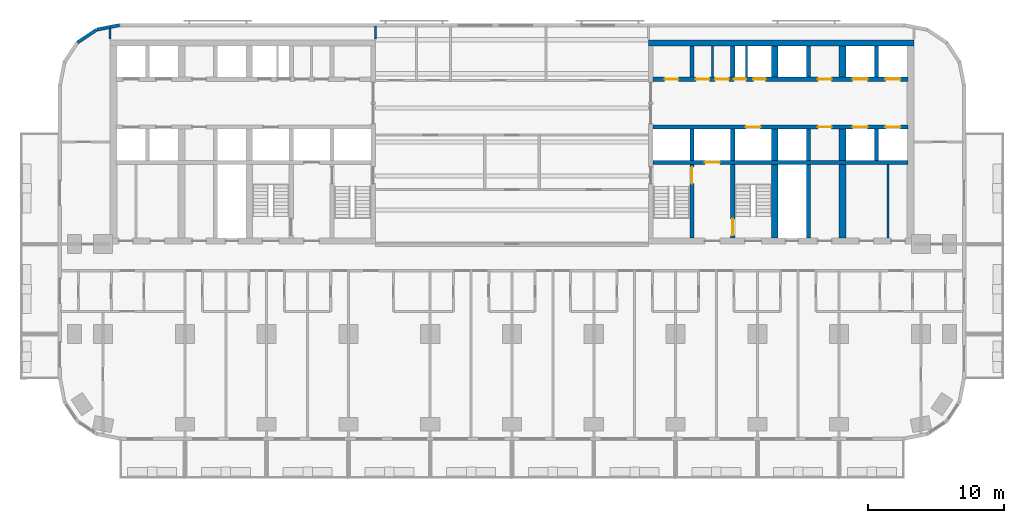
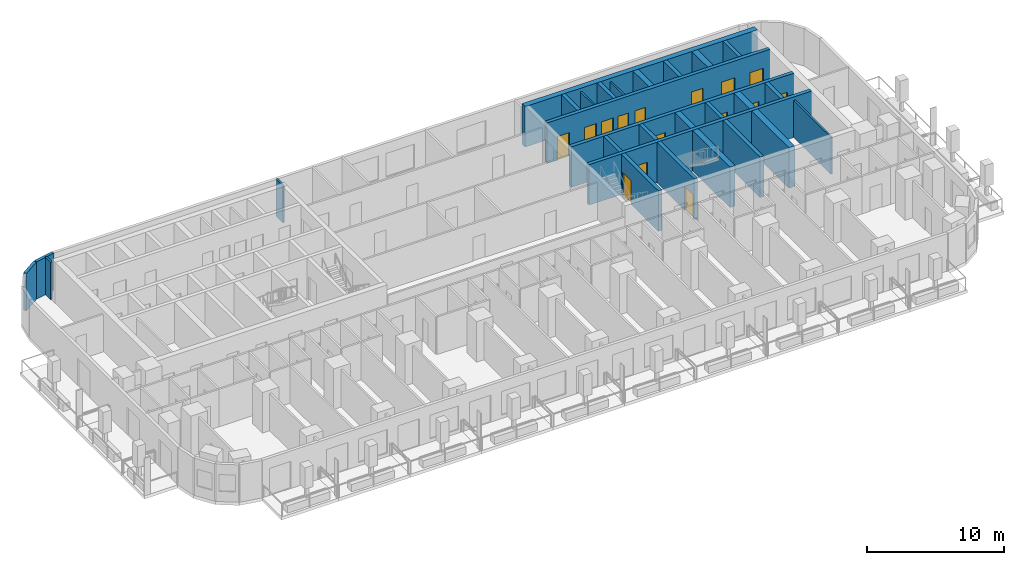
# One storey, part 8 of 15: 28 walls, 15 doors, 15 openings.
"""IFC4 building model written with IfcOpenShell, lengths in metres."""

import ifcopenshell
import ifcopenshell.guid

model = None  # the IFC model being written
_history = None  # IfcOwnerHistory: only IFC2X3 demands one
_inside = {}  # id of a spatial element -> (the spatial element, [elements in it])
_under = {}  # id of a project, library or spatial element -> (it, [spatial elements below it])
_declared = {}  # id of a project -> (the project, [libraries it declares])
_typed = {}  # id of a type object -> (the type object, [elements of that type])
_made_of = {}  # id of a material, layer set ... -> (it, [elements and type objects made of it])


def new_model(schema):
    """Start an empty IFC model of exactly this schema.

    Asked for "IFC4X3", IfcOpenShell would pick the latest addendum, in which some entities
    have other attributes; the version numbers below select the first issue.
    IFC2X3 requires an IfcOwnerHistory on every rooted entity: one is made here for all.
    """
    global model, _history
    if schema == "IFC4X3":
        model = ifcopenshell.file(schema_version=(4, 3, 0, 0))
    else:
        model = ifcopenshell.file(schema=schema)
    _inside.clear()
    _under.clear()
    _declared.clear()
    _typed.clear()
    _made_of.clear()
    _history = None
    if model.schema == "IFC2X3":
        org = make("IfcOrganization", Name="unknown")
        user = make(
            "IfcPersonAndOrganization",
            ThePerson=make("IfcPerson", FamilyName="unknown"),
            TheOrganization=org,
        )
        app = make(
            "IfcApplication",
            ApplicationDeveloper=org,
            Version="unknown",
            ApplicationFullName="unknown",
            ApplicationIdentifier="unknown",
        )
        _history = make(
            "IfcOwnerHistory",
            OwningUser=user,
            OwningApplication=app,
            ChangeAction="ADDED",
            CreationDate=0,
        )
    return model


def make(cls, **values):
    """One entity of the class cls with the attributes given. An attribute that is None is left unset."""
    return model.create_entity(
        cls, **{name: value for name, value in values.items() if value is not None}
    )


def rooted(cls, **values):
    """An entity with a GlobalId (a new one), such as an element, a storey or a relation."""
    return make(cls, GlobalId=ifcopenshell.guid.new(), OwnerHistory=_history, **values)


def si_unit(unit_type, name, prefix=None):
    """IfcSIUnit, for example si_unit("LENGTHUNIT", "METRE", prefix="MILLI")."""
    return make("IfcSIUnit", UnitType=unit_type, Prefix=prefix, Name=name)


def assignment(units):
    """IfcUnitAssignment: the units of a project."""
    return None if units is None else make("IfcUnitAssignment", Units=units)


def point(xyz):
    """IfcCartesianPoint."""
    return None if xyz is None else make("IfcCartesianPoint", Coordinates=xyz)


def direction(xyz):
    """IfcDirection."""
    return None if xyz is None else make("IfcDirection", DirectionRatios=xyz)


def frame(location, z_axis=None, x_axis=None):
    """IfcAxis2Placement3D, a coordinate frame: its origin and axes. An axis left out is left unset."""
    return make(
        "IfcAxis2Placement3D",
        Location=point(location),
        Axis=direction(z_axis),
        RefDirection=direction(x_axis),
    )


def frame_2d(location, x_axis=None):
    """IfcAxis2Placement2D, a coordinate frame in the plane: its origin and x axis."""
    return make(
        "IfcAxis2Placement2D", Location=point(location), RefDirection=direction(x_axis)
    )


def origin():
    """The frame at (0, 0, 0) with its axes left unset."""
    return frame((0.0, 0.0, 0.0))


def place(relative_to, where):
    """IfcLocalPlacement: puts the frame where relative to a parent placement (None: the world)."""
    return make(
        "IfcLocalPlacement", PlacementRelTo=relative_to, RelativePlacement=where
    )


def context(
    kind, dimensions, precision=None, world=None, true_north=None, identifier=None
):
    """IfcGeometricRepresentationContext, for example the 3D "Model" context."""
    return make(
        "IfcGeometricRepresentationContext",
        ContextIdentifier=identifier,
        ContextType=kind,
        CoordinateSpaceDimension=dimensions,
        Precision=precision,
        WorldCoordinateSystem=world,
        TrueNorth=true_north,
    )


def subcontext(parent, identifier, kind, view, scale=None):
    """IfcGeometricRepresentationSubContext, for example "Body" below "Model"."""
    return make(
        "IfcGeometricRepresentationSubContext",
        ContextIdentifier=identifier,
        ContextType=kind,
        ParentContext=parent,
        TargetScale=scale,
        TargetView=view,
    )


def project(units=None, contexts=None):
    """IfcProject with its units and contexts."""
    return rooted(
        "IfcProject",
        Name="project",
        RepresentationContexts=contexts,
        UnitsInContext=assignment(units),
    )


def spatial(cls, under=None, at=None, **own):
    """A site, building, storey or space (cls), placed at a placement, below another one or the project."""
    s = rooted(cls, ObjectPlacement=at, **own)
    if under is not None:
        _under.setdefault(under.id(), (under, []))[1].append(s)
    return s


def profile(cls, at=None, kind="AREA", **sizes):
    """A parametric profile (cls). Its sizes go by their IFC names, for example OverallWidth=200.0."""
    return make(cls, ProfileType=kind, Position=at, **sizes)


def rectangle(**sizes):
    """IfcRectangleProfileDef."""
    return profile("IfcRectangleProfileDef", **sizes)


def extrude(swept, where, along, depth):
    """IfcExtrudedAreaSolid: the profile swept, set in the frame where, extruded along a direction by depth."""
    return make(
        "IfcExtrudedAreaSolid",
        SweptArea=swept,
        Position=where,
        ExtrudedDirection=direction(along),
        Depth=depth,
    )


def shape(context_of_items, identifier, shape_type, items):
    """IfcShapeRepresentation: the items that make up one representation, for example the "Body"."""
    return make(
        "IfcShapeRepresentation",
        ContextOfItems=context_of_items,
        RepresentationIdentifier=identifier,
        RepresentationType=shape_type,
        Items=items,
    )


def material(Name=None, Category=None):
    """IfcMaterial."""
    return make("IfcMaterial", Name=Name, Category=Category)


def layer(
    of_material, thickness, ventilated=None, Name=None, Category=None, Priority=None
):
    """IfcMaterialLayer: one layer of a wall or slab, of a material (None: an air gap)."""
    return make(
        "IfcMaterialLayer",
        Material=of_material,
        LayerThickness=thickness,
        IsVentilated=ventilated,
        Name=Name,
        Category=Category,
        Priority=Priority,
    )


def layer_set(layers, Name=None):
    """IfcMaterialLayerSet."""
    return make("IfcMaterialLayerSet", MaterialLayers=layers, LayerSetName=Name)


def made_of(thing, what):
    """Note that an element or type object is made of a material, layer set ...; save() writes the relation."""
    if what is not None:
        _made_of.setdefault(what.id(), (what, []))[1].append(thing)
    return thing


def type_object(cls, material=None, **own):
    """A type object (cls), such as IfcWallType, which elements share."""
    return made_of(rooted(cls, **own), material)


def element(
    cls,
    number,
    at=None,
    inside=None,
    cuts=None,
    type_object=None,
    material=None,
    context=None,
    identifier="Body",
    shape_type=None,
    held_by="IfcProductDefinitionShape",
    body=None,
    shapes=None,
    **own,
):
    """One element of the class cls, such as IfcWall. Its Tag is "e" and its number.

    at: its placement. inside: the storey or other place that contains it. cuts: it is an
    opening in that element (IfcRelVoidsElement). A single representation is given by context,
    identifier, shape_type and body (its items); several are given by shapes. held_by: the class
    of the entity that holds the representations. save() writes the other relations.
    """
    e = rooted(cls, Tag="e%d" % number, ObjectPlacement=at, **own)
    if body is not None:
        shapes = [shape(context, identifier, shape_type, body)]
    if shapes is not None:
        e.Representation = make(held_by, Representations=shapes)
    if inside is not None:
        _inside.setdefault(inside.id(), (inside, []))[1].append(e)
    if cuts is not None:
        rooted(
            "IfcRelVoidsElement", RelatingBuildingElement=cuts, RelatedOpeningElement=e
        )
    if type_object is not None:
        _typed.setdefault(type_object.id(), (type_object, []))[1].append(e)
    return made_of(e, material)


def fill(opening, filler):
    """IfcRelFillsElement: the door or window that sits in an opening."""
    return rooted(
        "IfcRelFillsElement",
        RelatingOpeningElement=opening,
        RelatedBuildingElement=filler,
    )


def aggregate(whole, parts):
    """IfcRelAggregates: a whole, such as a stair, and the parts it consists of."""
    return rooted("IfcRelAggregates", RelatingObject=whole, RelatedObjects=parts)


def save(model, path):
    """Write the relations noted so far, then the file.

    IfcRelAggregates (storeys below a building ...), IfcRelContainedInSpatialStructure (elements
    in a storey), IfcRelDefinesByType, IfcRelAssociatesMaterial and IfcRelDeclares: one each for
    every whole, place, type object, material and project.
    """
    for whole, parts in _under.values():
        aggregate(whole, parts)
    for where, things in _inside.values():
        rooted(
            "IfcRelContainedInSpatialStructure",
            RelatedElements=things,
            RelatingStructure=where,
        )
    for kind, things in _typed.values():
        rooted("IfcRelDefinesByType", RelatedObjects=things, RelatingType=kind)
    for what, things in _made_of.values():
        rooted("IfcRelAssociatesMaterial", RelatedObjects=things, RelatingMaterial=what)
    for by, libraries in _declared.values():
        rooted("IfcRelDeclares", RelatingContext=by, RelatedDefinitions=libraries)
    model.write(path)


model = new_model("IFC4")

# Units and contexts
model_context = context("Model", 3, precision=1e-05, world=origin(), true_north=direction((0.0, 1.0)))
body_context = subcontext(model_context, "Body", "Model", "MODEL_VIEW")
ifc_project = project(units=[si_unit("LENGTHUNIT", "METRE"), si_unit("AREAUNIT", "SQUARE_METRE"), si_unit("VOLUMEUNIT", "CUBIC_METRE"), si_unit("PLANEANGLEUNIT", "RADIAN"), si_unit("MASSUNIT", "GRAM", prefix="KILO")], contexts=[model_context])

# Site, building, storey
site_placement = place(None, origin())
site = spatial("IfcSite", under=ifc_project, at=site_placement, CompositionType="ELEMENT")
building_placement = place(site_placement, origin())
building = spatial("IfcBuilding", under=site, at=building_placement, Name="Torana Hotel and Residences", CompositionType="ELEMENT")
storey_placement = place(building_placement, frame((0.0, 0.0, 31.199951171875)))
storey = spatial("IfcBuildingStorey", under=building, at=storey_placement, Name="L06", CompositionType="ELEMENT", Elevation=31.199951171875)

# Wall, openings, doors
ifc_material_1 = material(Name="Concrete C80/95", Category="concrete")
ifc_layer_1 = layer(ifc_material_1, 0.300048828125)
ifc_layer_set_1 = layer_set([ifc_layer_1], Name="CORE WALL 300 C80/95")
wall_type_1 = type_object("IfcWallType", Name="CORE WALL 300 C80/95", PredefinedType="SHEAR", material=ifc_layer_set_1)
wall_1_placement = place(storey_placement, frame((10.35009765625, -2.89990234375, 0.0), z_axis=(0.0, 0.0, 1.0), x_axis=(1.0, 0.0, 0.0)))
wall_1 = element("IfcWall", 1, at=wall_1_placement, inside=storey, type_object=wall_type_1, Name="Core wall E row-N", PredefinedType="SHEAR", context=body_context, shape_type="SweptSolid", body=[
    extrude(rectangle(XDim=18.699951171875, YDim=0.300048828125, at=frame_2d((9.35009765625, 0.0))), origin(), (0.0, 0.0, 1.0), 3.60009765625),
])
opening_1_placement = place(wall_1_placement, frame((14.64990234375, 0.0, 0.0)))
opening_1 = element("IfcOpeningElement", 2, at=opening_1_placement, cuts=wall_1, Name="Opening LD", PredefinedType="OPENING", context=body_context, shape_type="SweptSolid", body=[
    extrude(rectangle(XDim=1.10009765625, YDim=2.10009765625, at=frame_2d((0.550048828125, 1.050048828125))), frame((0.0, 0.159912109375, 0.0), z_axis=(0.0, -1.0, 0.0), x_axis=(1.0, 0.0, 0.0)), (0.0, 0.0, 1.0), 0.320068359375),
])
opening_2_placement = place(wall_1_placement, frame((17.050048828125, 0.0, 0.0)))
opening_2 = element("IfcOpeningElement", 3, at=opening_2_placement, cuts=wall_1, Name="Opening LD", PredefinedType="OPENING", context=body_context, shape_type="SweptSolid", body=[
    extrude(rectangle(XDim=1.10009765625, YDim=2.10009765625, at=frame_2d((0.550048828125, 1.050048828125))), frame((0.0, 0.159912109375, 0.0), z_axis=(0.0, -1.0, 0.0), x_axis=(1.0, 0.0, 0.0)), (0.0, 0.0, 1.0), 0.320068359375),
])
opening_3_placement = place(wall_1_placement, frame((5.9375, 0.0, 0.0)))
opening_3 = element("IfcOpeningElement", 4, at=opening_3_placement, cuts=wall_1, Name="Opening L06-28", PredefinedType="OPENING", context=body_context, shape_type="SweptSolid", body=[
    extrude(rectangle(XDim=0.89990234375, YDim=2.10009765625, at=frame_2d((0.449951171875, 1.050048828125))), frame((0.0, 0.159912109375, 0.0), z_axis=(0.0, -1.0, 0.0), x_axis=(1.0, 0.0, 0.0)), (0.0, 0.0, 1.0), 0.320068359375),
])
opening_4_placement = place(wall_1_placement, frame((7.362548828125, 0.0, 0.0)))
opening_4 = element("IfcOpeningElement", 5, at=opening_4_placement, cuts=wall_1, Name="Opening L06-29", PredefinedType="OPENING", context=body_context, shape_type="SweptSolid", body=[
    extrude(rectangle(XDim=0.89990234375, YDim=2.10009765625, at=frame_2d((0.449951171875, 1.050048828125))), frame((0.0, 0.159912109375, 0.0), z_axis=(0.0, -1.0, 0.0), x_axis=(1.0, 0.0, 0.0)), (0.0, 0.0, 1.0), 0.320068359375),
])
opening_5_placement = place(wall_1_placement, frame((0.85009765625, 0.0, 0.0)))
opening_5 = element("IfcOpeningElement", 6, at=opening_5_placement, cuts=wall_1, Name="Opening L06-30", PredefinedType="OPENING", context=body_context, shape_type="SweptSolid", body=[
    extrude(rectangle(XDim=1.0, YDim=2.10009765625, at=frame_2d((0.5, 1.050048828125))), frame((0.0, 0.159912109375, 0.0), z_axis=(0.0, -1.0, 0.0), x_axis=(1.0, 0.0, 0.0)), (0.0, 0.0, 1.0), 0.320068359375),
])
opening_6_placement = place(wall_1_placement, frame((3.137451171875, 0.0, 0.0)))
opening_6 = element("IfcOpeningElement", 7, at=opening_6_placement, cuts=wall_1, Name="Opening L06-31", PredefinedType="OPENING", context=body_context, shape_type="SweptSolid", body=[
    extrude(rectangle(XDim=1.0, YDim=2.10009765625, at=frame_2d((0.5, 1.050048828125))), frame((0.0, 0.159912109375, 0.0), z_axis=(0.0, -1.0, 0.0), x_axis=(1.0, 0.0, 0.0)), (0.0, 0.0, 1.0), 0.320068359375),
])
opening_7_placement = place(wall_1_placement, frame((4.5625, 0.0, 0.0)))
opening_7 = element("IfcOpeningElement", 8, at=opening_7_placement, cuts=wall_1, Name="Opening L06-32", PredefinedType="OPENING", context=body_context, shape_type="SweptSolid", body=[
    extrude(rectangle(XDim=1.0, YDim=2.10009765625, at=frame_2d((0.5, 1.050048828125))), frame((0.0, 0.159912109375, 0.0), z_axis=(0.0, -1.0, 0.0), x_axis=(1.0, 0.0, 0.0)), (0.0, 0.0, 1.0), 0.320068359375),
])
opening_8_placement = place(wall_1_placement, frame((12.10009765625, 0.0, 0.0)))
opening_8 = element("IfcOpeningElement", 9, at=opening_8_placement, cuts=wall_1, Name="Opening L06-33", PredefinedType="OPENING", context=body_context, shape_type="SweptSolid", body=[
    extrude(rectangle(XDim=1.0, YDim=2.10009765625, at=frame_2d((0.5, 1.050048828125))), frame((0.0, 0.159912109375, 0.0), z_axis=(0.0, -1.0, 0.0), x_axis=(1.0, 0.0, 0.0)), (0.0, 0.0, 1.0), 0.320068359375),
])
ifc_material_2 = material(Name="Steel S235", Category="steel")
door_type_1 = type_object("IfcDoorType", Name="CORE ROOM FIRE DOOR D14 1000x2100", OperationType="SINGLE_SWING_LEFT", PredefinedType="DOOR", material=ifc_material_2)
door_1_placement = place(opening_5_placement, origin())
door_1 = element("IfcDoor", 10, at=door_1_placement, inside=storey, type_object=door_type_1, Name="N0 door L06", OperationType="SINGLE_SWING_RIGHT", OverallHeight=2.10009765625, OverallWidth=1.0, PredefinedType="DOOR", context=body_context, shape_type="SweptSolid", body=[
    extrude(rectangle(XDim=1.0, YDim=2.10009765625, at=frame_2d((0.5, 1.050048828125))), frame((0.0, 0.02490234375, 0.0), z_axis=(0.0, -1.0, 0.0), x_axis=(1.0, 0.0, 0.0)), (0.0, 0.0, 1.0), 0.050048828125),
])
fill(opening_5, door_1)
door_2_placement = place(opening_6_placement, origin())
door_2 = element("IfcDoor", 11, at=door_2_placement, inside=storey, type_object=door_type_1, Name="N1A door L06", OperationType="SINGLE_SWING_RIGHT", OverallHeight=2.10009765625, OverallWidth=1.0, PredefinedType="DOOR", context=body_context, shape_type="SweptSolid", body=[
    extrude(rectangle(XDim=1.0, YDim=2.10009765625, at=frame_2d((0.5, 1.050048828125))), frame((0.0, 0.02490234375, 0.0), z_axis=(0.0, -1.0, 0.0), x_axis=(1.0, 0.0, 0.0)), (0.0, 0.0, 1.0), 0.050048828125),
])
fill(opening_6, door_2)
door_3_placement = place(opening_7_placement, origin())
door_3 = element("IfcDoor", 12, at=door_3_placement, inside=storey, type_object=door_type_1, Name="N1B door L06", OperationType="SINGLE_SWING_RIGHT", OverallHeight=2.10009765625, OverallWidth=1.0, PredefinedType="DOOR", context=body_context, shape_type="SweptSolid", body=[
    extrude(rectangle(XDim=1.0, YDim=2.10009765625, at=frame_2d((0.5, 1.050048828125))), frame((0.0, 0.02490234375, 0.0), z_axis=(0.0, -1.0, 0.0), x_axis=(1.0, 0.0, 0.0)), (0.0, 0.0, 1.0), 0.050048828125),
])
fill(opening_7, door_3)
door_4_placement = place(opening_8_placement, origin())
door_4 = element("IfcDoor", 13, at=door_4_placement, inside=storey, type_object=door_type_1, Name="Free-M3 door L06", OperationType="SINGLE_SWING_RIGHT", OverallHeight=2.10009765625, OverallWidth=1.0, PredefinedType="DOOR", context=body_context, shape_type="SweptSolid", body=[
    extrude(rectangle(XDim=1.0, YDim=2.10009765625, at=frame_2d((0.5, 1.050048828125))), frame((0.0, 0.02490234375, 0.0), z_axis=(0.0, -1.0, 0.0), x_axis=(1.0, 0.0, 0.0)), (0.0, 0.0, 1.0), 0.050048828125),
])
fill(opening_8, door_4)
ifc_material_3 = material(Name="Stainless steel 316", Category="steel")
door_type_2 = type_object("IfcDoorType", Name="LIFT LANDING DOOR LD 1100x2100", OperationType="DOUBLE_DOOR_SLIDING", PredefinedType="USERDEFINED", material=ifc_material_3)
door_5_placement = place(opening_1_placement, origin())
door_5 = element("IfcDoor", 14, at=door_5_placement, inside=storey, type_object=door_type_2, Name="Lift landing door L5 L06", ObjectType="LIFT LANDING DOOR", OperationType="DOUBLE_DOOR_SLIDING", OverallHeight=2.10009765625, OverallWidth=1.10009765625, PredefinedType="USERDEFINED", context=body_context, shape_type="SweptSolid", body=[
    extrude(rectangle(XDim=1.10009765625, YDim=2.10009765625, at=frame_2d((0.550048828125, 1.050048828125))), frame((0.0, 0.02490234375, 0.0), z_axis=(0.0, -1.0, 0.0), x_axis=(1.0, 0.0, 0.0)), (0.0, 0.0, 1.0), 0.050048828125),
])
fill(opening_1, door_5)
door_6_placement = place(opening_2_placement, origin())
door_6 = element("IfcDoor", 15, at=door_6_placement, inside=storey, type_object=door_type_2, Name="Lift landing door L6 L06", ObjectType="LIFT LANDING DOOR", OperationType="DOUBLE_DOOR_SLIDING", OverallHeight=2.10009765625, OverallWidth=1.10009765625, PredefinedType="USERDEFINED", context=body_context, shape_type="SweptSolid", body=[
    extrude(rectangle(XDim=1.10009765625, YDim=2.10009765625, at=frame_2d((0.550048828125, 1.050048828125))), frame((0.0, 0.02490234375, 0.0), z_axis=(0.0, -1.0, 0.0), x_axis=(1.0, 0.0, 0.0)), (0.0, 0.0, 1.0), 0.050048828125),
])
fill(opening_2, door_6)
ifc_material_4 = material(Name="Steel S235", Category="steel")
door_type_3 = type_object("IfcDoorType", Name="RISER ACCESS DOOR D5 900x2100", OperationType="SINGLE_SWING_LEFT", PredefinedType="DOOR", material=ifc_material_4)
door_7_placement = place(opening_3_placement, origin())
door_7 = element("IfcDoor", 16, at=door_7_placement, inside=storey, type_object=door_type_3, Name="N2A door L06", OperationType="SINGLE_SWING_RIGHT", OverallHeight=2.10009765625, OverallWidth=0.89990234375, PredefinedType="DOOR", context=body_context, shape_type="SweptSolid", body=[
    extrude(rectangle(XDim=0.89990234375, YDim=2.10009765625, at=frame_2d((0.449951171875, 1.050048828125))), frame((0.0, 0.02490234375, 0.0), z_axis=(0.0, -1.0, 0.0), x_axis=(1.0, 0.0, 0.0)), (0.0, 0.0, 1.0), 0.050048828125),
])
fill(opening_3, door_7)
door_8_placement = place(opening_4_placement, origin())
door_8 = element("IfcDoor", 17, at=door_8_placement, inside=storey, type_object=door_type_3, Name="N2B door L06", OperationType="SINGLE_SWING_RIGHT", OverallHeight=2.10009765625, OverallWidth=0.89990234375, PredefinedType="DOOR", context=body_context, shape_type="SweptSolid", body=[
    extrude(rectangle(XDim=0.89990234375, YDim=2.10009765625, at=frame_2d((0.449951171875, 1.050048828125))), frame((0.0, 0.02490234375, 0.0), z_axis=(0.0, -1.0, 0.0), x_axis=(1.0, 0.0, 0.0)), (0.0, 0.0, 1.0), 0.050048828125),
])
fill(opening_4, door_8)

wall_2_placement = place(storey_placement, frame((10.35009765625, -6.39990234375, 0.0), z_axis=(0.0, 0.0, 1.0), x_axis=(1.0, 0.0, 0.0)))
wall_2 = element("IfcWall", 18, at=wall_2_placement, inside=storey, type_object=wall_type_1, Name="Core wall E row-S", PredefinedType="SHEAR", context=body_context, shape_type="SweptSolid", body=[
    extrude(rectangle(XDim=18.699951171875, YDim=0.300048828125, at=frame_2d((9.35009765625, 0.0))), origin(), (0.0, 0.0, 1.0), 3.60009765625),
])
opening_9_placement = place(wall_2_placement, frame((14.64990234375, 0.0, 0.0)))
opening_9 = element("IfcOpeningElement", 19, at=opening_9_placement, cuts=wall_2, Name="Opening LD", PredefinedType="OPENING", context=body_context, shape_type="SweptSolid", body=[
    extrude(rectangle(XDim=1.10009765625, YDim=2.10009765625, at=frame_2d((0.550048828125, 1.050048828125))), frame((0.0, 0.159912109375, 0.0), z_axis=(0.0, -1.0, 0.0), x_axis=(1.0, 0.0, 0.0)), (0.0, 0.0, 1.0), 0.320068359375),
])
opening_10_placement = place(wall_2_placement, frame((17.050048828125, 0.0, 0.0)))
opening_10 = element("IfcOpeningElement", 20, at=opening_10_placement, cuts=wall_2, Name="Opening LD", PredefinedType="OPENING", context=body_context, shape_type="SweptSolid", body=[
    extrude(rectangle(XDim=1.10009765625, YDim=2.10009765625, at=frame_2d((0.550048828125, 1.050048828125))), frame((0.0, 0.159912109375, 0.0), z_axis=(0.0, -1.0, 0.0), x_axis=(1.0, 0.0, 0.0)), (0.0, 0.0, 1.0), 0.320068359375),
])
opening_11_placement = place(wall_2_placement, frame((6.800048828125, 0.0, 0.0)))
opening_11 = element("IfcOpeningElement", 21, at=opening_11_placement, cuts=wall_2, Name="Opening LD", PredefinedType="OPENING", context=body_context, shape_type="SweptSolid", body=[
    extrude(rectangle(XDim=1.10009765625, YDim=2.10009765625, at=frame_2d((0.550048828125, 1.050048828125))), frame((0.0, 0.159912109375, 0.0), z_axis=(0.0, -1.0, 0.0), x_axis=(1.0, 0.0, 0.0)), (0.0, 0.0, 1.0), 0.320068359375),
])
opening_12_placement = place(wall_2_placement, frame((12.10009765625, 0.0, 0.0)))
opening_12 = element("IfcOpeningElement", 22, at=opening_12_placement, cuts=wall_2, Name="Opening L06-34", PredefinedType="OPENING", context=body_context, shape_type="SweptSolid", body=[
    extrude(rectangle(XDim=1.0, YDim=2.10009765625, at=frame_2d((0.5, 1.050048828125))), frame((0.0, 0.159912109375, 0.0), z_axis=(0.0, -1.0, 0.0), x_axis=(1.0, 0.0, 0.0)), (0.0, 0.0, 1.0), 0.320068359375),
])
door_9_placement = place(opening_12_placement, frame((0.5, 0.0, 0.0), z_axis=(0.0, 0.0, 1.0), x_axis=(-1.0, 0.0, 0.0)))
door_9 = element("IfcDoor", 23, at=door_9_placement, inside=storey, type_object=door_type_1, Name="Free-M4 door L06", OperationType="SINGLE_SWING_LEFT", OverallHeight=2.10009765625, OverallWidth=1.0, PredefinedType="DOOR", context=body_context, shape_type="SweptSolid", body=[
    extrude(rectangle(XDim=1.0, YDim=2.10009765625, at=frame_2d((0.0, 1.050048828125))), frame((0.0, -0.02490234375, 0.0), z_axis=(0.0, 1.0, 0.0), x_axis=(-1.0, 0.0, 0.0)), (0.0, 0.0, 1.0), 0.050048828125),
])
fill(opening_12, door_9)
door_10_placement = place(opening_9_placement, origin())
door_10 = element("IfcDoor", 24, at=door_10_placement, inside=storey, type_object=door_type_2, Name="Lift landing door L7 L06", ObjectType="LIFT LANDING DOOR", OperationType="DOUBLE_DOOR_SLIDING", OverallHeight=2.10009765625, OverallWidth=1.10009765625, PredefinedType="USERDEFINED", context=body_context, shape_type="SweptSolid", body=[
    extrude(rectangle(XDim=1.10009765625, YDim=2.10009765625, at=frame_2d((0.550048828125, 1.050048828125))), frame((0.0, 0.02490234375, 0.0), z_axis=(0.0, -1.0, 0.0), x_axis=(1.0, 0.0, 0.0)), (0.0, 0.0, 1.0), 0.050048828125),
])
fill(opening_9, door_10)
door_11_placement = place(opening_10_placement, origin())
door_11 = element("IfcDoor", 25, at=door_11_placement, inside=storey, type_object=door_type_2, Name="Lift landing door L8 L06", ObjectType="LIFT LANDING DOOR", OperationType="DOUBLE_DOOR_SLIDING", OverallHeight=2.10009765625, OverallWidth=1.10009765625, PredefinedType="USERDEFINED", context=body_context, shape_type="SweptSolid", body=[
    extrude(rectangle(XDim=1.10009765625, YDim=2.10009765625, at=frame_2d((0.550048828125, 1.050048828125))), frame((0.0, 0.02490234375, 0.0), z_axis=(0.0, -1.0, 0.0), x_axis=(1.0, 0.0, 0.0)), (0.0, 0.0, 1.0), 0.050048828125),
])
fill(opening_10, door_11)
door_12_placement = place(opening_11_placement, origin())
door_12 = element("IfcDoor", 26, at=door_12_placement, inside=storey, type_object=door_type_2, Name="Lift landing door SV2 L06", ObjectType="LIFT LANDING DOOR", OperationType="DOUBLE_DOOR_SLIDING", OverallHeight=2.10009765625, OverallWidth=1.10009765625, PredefinedType="USERDEFINED", context=body_context, shape_type="SweptSolid", body=[
    extrude(rectangle(XDim=1.10009765625, YDim=2.10009765625, at=frame_2d((0.550048828125, 1.050048828125))), frame((0.0, 0.02490234375, 0.0), z_axis=(0.0, -1.0, 0.0), x_axis=(1.0, 0.0, 0.0)), (0.0, 0.0, 1.0), 0.050048828125),
])
fill(opening_11, door_12)

# Wall, opening, door
wall_3_placement = place(storey_placement, frame((10.35009765625, -9.0, 0.0), z_axis=(0.0, 0.0, 1.0), x_axis=(1.0, 0.0, 0.0)))
wall_3 = element("IfcWall", 27, at=wall_3_placement, inside=storey, type_object=wall_type_1, Name="Core wall E band", PredefinedType="SHEAR", context=body_context, shape_type="SweptSolid", body=[
    extrude(rectangle(XDim=18.699951171875, YDim=0.300048828125, at=frame_2d((9.35009765625, 0.0))), origin(), (0.0, 0.0, 1.0), 3.60009765625),
])
opening_13_placement = place(wall_3_placement, frame((3.800048828125, 0.0, 0.0)))
opening_13 = element("IfcOpeningElement", 28, at=opening_13_placement, cuts=wall_3, Name="Opening LD", PredefinedType="OPENING", context=body_context, shape_type="SweptSolid", body=[
    extrude(rectangle(XDim=1.10009765625, YDim=2.10009765625, at=frame_2d((0.550048828125, 1.050048828125))), frame((0.0, 0.159912109375, 0.0), z_axis=(0.0, -1.0, 0.0), x_axis=(1.0, 0.0, 0.0)), (0.0, 0.0, 1.0), 0.320068359375),
])
door_13_placement = place(opening_13_placement, origin())
door_13 = element("IfcDoor", 29, at=door_13_placement, inside=storey, type_object=door_type_2, Name="Lift landing door FF2 L06", ObjectType="LIFT LANDING DOOR", OperationType="DOUBLE_DOOR_SLIDING", OverallHeight=2.10009765625, OverallWidth=1.10009765625, PredefinedType="USERDEFINED", context=body_context, shape_type="SweptSolid", body=[
    extrude(rectangle(XDim=1.10009765625, YDim=2.10009765625, at=frame_2d((0.550048828125, 1.050048828125))), frame((0.0, 0.02490234375, 0.0), z_axis=(0.0, -1.0, 0.0), x_axis=(1.0, 0.0, 0.0)), (0.0, 0.0, 1.0), 0.050048828125),
])
fill(opening_13, door_13)

# Walls
for number, where, z_axis, x_axis, name in (
    (30, (13.199951171875, -2.75, 0.0), (0.0, 0.0, 1.0), (0.0, 1.0, 0.0), "Core wall E x3.05-N"),
    (31, (13.199951171875, -8.85009765625, 0.0), (0.0, 0.0, 1.0), (0.0, 1.0, 0.0), "Core wall E x3.05-S"),
):
    element("IfcWall", number, at=place(storey_placement, frame(where, z_axis=z_axis, x_axis=x_axis)), inside=storey, type_object=wall_type_1, Name=name, PredefinedType="SHEAR", context=body_context, shape_type="SweptSolid", body=[
        extrude(rectangle(XDim=2.300048828125, YDim=0.300048828125, at=frame_2d((1.14990234375, 0.0))), origin(), (0.0, 0.0, 1.0), 3.60009765625),
    ])

# Wall, opening, door
wall_4_placement = place(storey_placement, frame((13.199951171875, -14.550048828125, 0.0), z_axis=(0.0, 0.0, 1.0), x_axis=(0.0, 1.0, 0.0)))
wall_4 = element("IfcWall", 32, at=wall_4_placement, inside=storey, type_object=wall_type_1, Name="Core wall E x3.05-band", PredefinedType="SHEAR", context=body_context, shape_type="SweptSolid", body=[
    extrude(rectangle(XDim=5.400146484375, YDim=0.300048828125, at=frame_2d((2.7001953125, 0.0))), origin(), (0.0, 0.0, 1.0), 3.60009765625),
])
opening_14_placement = place(wall_4_placement, frame((4.0, 0.0, 0.0)))
opening_14 = element("IfcOpeningElement", 33, at=opening_14_placement, cuts=wall_4, Name="Opening L06-35", PredefinedType="OPENING", context=body_context, shape_type="SweptSolid", body=[
    extrude(rectangle(XDim=1.199951171875, YDim=2.10009765625, at=frame_2d((0.60009765625, 1.050048828125))), frame((0.0, 0.159912109375, 0.0), z_axis=(0.0, -1.0, 0.0), x_axis=(1.0, 0.0, 0.0)), (0.0, 0.0, 1.0), 0.320068359375),
])
ifc_material_5 = material(Name="Steel S235", Category="steel")
door_type_4 = type_object("IfcDoorType", Name="STAIR FIRE DOOR D3 1200x2100", OperationType="SINGLE_SWING_LEFT", PredefinedType="DOOR", material=ifc_material_5)
door_14_placement = place(opening_14_placement, origin())
door_14 = element("IfcDoor", 34, at=door_14_placement, inside=storey, type_object=door_type_4, Name="Stair-A-lobby door L06", OperationType="SINGLE_SWING_LEFT", OverallHeight=2.10009765625, OverallWidth=1.199951171875, PredefinedType="DOOR", context=body_context, shape_type="SweptSolid", body=[
    extrude(rectangle(XDim=1.199951171875, YDim=2.10009765625, at=frame_2d((0.60009765625, 1.050048828125))), frame((0.0, 0.02490234375, 0.0), z_axis=(0.0, -1.0, 0.0), x_axis=(1.0, 0.0, 0.0)), (0.0, 0.0, 1.0), 0.050048828125),
])
fill(opening_14, door_14)

# Walls
for number, where, z_axis, x_axis, name in (
    (35, (16.199951171875, -2.75, 0.0), (0.0, 0.0, 1.0), (0.0, 1.0, 0.0), "Core wall E x6.05-N"),
    (36, (16.199951171875, -8.85009765625, 0.0), (0.0, 0.0, 1.0), (0.0, 1.0, 0.0), "Core wall E x6.05-S"),
):
    element("IfcWall", number, at=place(storey_placement, frame(where, z_axis=z_axis, x_axis=x_axis)), inside=storey, type_object=wall_type_1, Name=name, PredefinedType="SHEAR", context=body_context, shape_type="SweptSolid", body=[
        extrude(rectangle(XDim=2.300048828125, YDim=0.300048828125, at=frame_2d((1.14990234375, 0.0))), origin(), (0.0, 0.0, 1.0), 3.60009765625),
    ])

# Wall, opening, door
wall_5_placement = place(storey_placement, frame((16.199951171875, -14.550048828125, 0.0), z_axis=(0.0, 0.0, 1.0), x_axis=(0.0, 1.0, 0.0)))
wall_5 = element("IfcWall", 37, at=wall_5_placement, inside=storey, type_object=wall_type_1, Name="Core wall E x6.05-band", PredefinedType="SHEAR", context=body_context, shape_type="SweptSolid", body=[
    extrude(rectangle(XDim=5.400146484375, YDim=0.300048828125, at=frame_2d((2.7001953125, 0.0))), origin(), (0.0, 0.0, 1.0), 3.60009765625),
])
opening_15_placement = place(wall_5_placement, frame((0.199951171875, 0.0, 0.0)))
opening_15 = element("IfcOpeningElement", 38, at=opening_15_placement, cuts=wall_5, Name="Opening L06-36", PredefinedType="OPENING", context=body_context, shape_type="SweptSolid", body=[
    extrude(rectangle(XDim=1.199951171875, YDim=2.10009765625, at=frame_2d((0.60009765625, 1.050048828125))), frame((0.0, 0.159912109375, 0.0), z_axis=(0.0, -1.0, 0.0), x_axis=(1.0, 0.0, 0.0)), (0.0, 0.0, 1.0), 0.320068359375),
])
door_15_placement = place(opening_15_placement, frame((0.60009765625, 0.0, 0.0), z_axis=(0.0, 0.0, 1.0), x_axis=(-1.0, 0.0, 0.0)))
door_15 = element("IfcDoor", 39, at=door_15_placement, inside=storey, type_object=door_type_4, Name="Stair-B-lobby door L06", OperationType="SINGLE_SWING_LEFT", OverallHeight=2.10009765625, OverallWidth=1.199951171875, PredefinedType="DOOR", context=body_context, shape_type="SweptSolid", body=[
    extrude(rectangle(XDim=1.199951171875, YDim=2.10009765625, at=frame_2d((0.0, 1.050048828125))), frame((0.0, -0.02490234375, 0.0), z_axis=(0.0, 1.0, 0.0), x_axis=(-1.0, 0.0, 0.0)), (0.0, 0.0, 1.0), 0.050048828125),
])
fill(opening_15, door_15)

# Walls
for number, where, z_axis, x_axis, name in (
    (40, (21.75, -2.75, 0.0), (0.0, 0.0, 1.0), (0.0, 1.0, 0.0), "Core wall E mm-N"),
    (41, (21.75, -8.85009765625, 0.0), (0.0, 0.0, 1.0), (0.0, 1.0, 0.0), "Core wall E mm-S"),
):
    element("IfcWall", number, at=place(storey_placement, frame(where, z_axis=z_axis, x_axis=x_axis)), inside=storey, type_object=wall_type_1, Name=name, PredefinedType="SHEAR", context=body_context, shape_type="SweptSolid", body=[
        extrude(rectangle(XDim=2.300048828125, YDim=0.300048828125, at=frame_2d((1.14990234375, 0.0))), origin(), (0.0, 0.0, 1.0), 3.60009765625),
    ])
wall_6_placement = place(storey_placement, frame((21.75, -14.550048828125, 0.0), z_axis=(0.0, 0.0, 1.0), x_axis=(0.0, 1.0, 0.0)))
element("IfcWall", 42, at=wall_6_placement, inside=storey, type_object=wall_type_1, Name="Core wall E mm-band", PredefinedType="SHEAR", context=body_context, shape_type="SweptSolid", body=[
    extrude(rectangle(XDim=5.400146484375, YDim=0.300048828125, at=frame_2d((2.7001953125, 0.0))), origin(), (0.0, 0.0, 1.0), 3.60009765625),
])
for number, where, z_axis, x_axis, name in (
    (43, (26.75, -2.75, 0.0), (0.0, 0.0, 1.0), (0.0, 1.0, 0.0), "Core wall E ll-N"),
    (44, (26.75, -8.85009765625, 0.0), (0.0, 0.0, 1.0), (0.0, 1.0, 0.0), "Core wall E ll-S"),
):
    element("IfcWall", number, at=place(storey_placement, frame(where, z_axis=z_axis, x_axis=x_axis)), inside=storey, type_object=wall_type_1, Name=name, PredefinedType="SHEAR", context=body_context, shape_type="SweptSolid", body=[
        extrude(rectangle(XDim=2.300048828125, YDim=0.300048828125, at=frame_2d((1.14990234375, 0.0))), origin(), (0.0, 0.0, 1.0), 3.60009765625),
    ])
ifc_material_6 = material(Name="Concrete C80/95", Category="concrete")
ifc_layer_2 = layer(ifc_material_6, 0.449951171875)
ifc_layer_set_2 = layer_set([ifc_layer_2], Name="CORE WALL 450 C80/95")
wall_type_2 = type_object("IfcWallType", Name="CORE WALL 450 C80/95", PredefinedType="SHEAR", material=ifc_layer_set_2)
wall_7_placement = place(storey_placement, frame((10.0, -0.22509765625, 0.0), z_axis=(0.0, 0.0, 1.0), x_axis=(1.0, 0.0, 0.0)))
element("IfcWall", 45, at=wall_7_placement, inside=storey, type_object=wall_type_2, Name="Core wall E rear", PredefinedType="SHEAR", context=body_context, shape_type="SweptSolid", body=[
    extrude(rectangle(XDim=19.5, YDim=0.449951171875, at=frame_2d((9.75, 0.0))), origin(), (0.0, 0.0, 1.0), 3.60009765625),
])
for number, where, z_axis, x_axis, name in (
    (46, (19.27490234375, -2.75, 0.0), (0.0, 0.0, 1.0), (0.0, 1.0, 0.0), "Core wall E hm-N"),
    (47, (19.27490234375, -8.85009765625, 0.0), (0.0, 0.0, 1.0), (0.0, 1.0, 0.0), "Core wall E hm-S"),
):
    element("IfcWall", number, at=place(storey_placement, frame(where, z_axis=z_axis, x_axis=x_axis)), inside=storey, type_object=wall_type_2, Name=name, PredefinedType="SHEAR", context=body_context, shape_type="SweptSolid", body=[
        extrude(rectangle(XDim=2.300048828125, YDim=0.449951171875, at=frame_2d((1.14990234375, 0.0))), origin(), (0.0, 0.0, 1.0), 3.60009765625),
    ])
wall_8_placement = place(storey_placement, frame((19.27490234375, -14.550048828125, 0.0), z_axis=(0.0, 0.0, 1.0), x_axis=(0.0, 1.0, 0.0)))
element("IfcWall", 48, at=wall_8_placement, inside=storey, type_object=wall_type_2, Name="Core wall E hm-band", PredefinedType="SHEAR", context=body_context, shape_type="SweptSolid", body=[
    extrude(rectangle(XDim=5.400146484375, YDim=0.449951171875, at=frame_2d((2.7001953125, 0.0))), origin(), (0.0, 0.0, 1.0), 3.60009765625),
])
ifc_material_7 = material(Name="Concrete C80/95", Category="concrete")
ifc_layer_3 = layer(ifc_material_7, 0.5)
ifc_layer_set_3 = layer_set([ifc_layer_3], Name="CORE WALL 500 C80/95")
wall_type_3 = type_object("IfcWallType", Name="CORE WALL 500 C80/95", PredefinedType="SHEAR", material=ifc_layer_set_3)
for number, where, z_axis, x_axis, name in (
    (49, (24.25, -2.75, 0.0), (0.0, 0.0, 1.0), (0.0, 1.0, 0.0), "Core wall E ml-N"),
    (50, (24.25, -8.85009765625, 0.0), (0.0, 0.0, 1.0), (0.0, 1.0, 0.0), "Core wall E ml-S"),
):
    element("IfcWall", number, at=place(storey_placement, frame(where, z_axis=z_axis, x_axis=x_axis)), inside=storey, type_object=wall_type_3, Name=name, PredefinedType="SHEAR", context=body_context, shape_type="SweptSolid", body=[
        extrude(rectangle(XDim=2.300048828125, YDim=0.5, at=frame_2d((1.14990234375, 0.0))), origin(), (0.0, 0.0, 1.0), 3.60009765625),
    ])
wall_9_placement = place(storey_placement, frame((24.25, -14.550048828125, 0.0), z_axis=(0.0, 0.0, 1.0), x_axis=(0.0, 1.0, 0.0)))
element("IfcWall", 51, at=wall_9_placement, inside=storey, type_object=wall_type_3, Name="Core wall E ml-band", PredefinedType="SHEAR", context=body_context, shape_type="SweptSolid", body=[
    extrude(rectangle(XDim=5.400146484375, YDim=0.5, at=frame_2d((2.7001953125, 0.0))), origin(), (0.0, 0.0, 1.0), 3.60009765625),
])
ifc_material_8 = material(Name="Black aluminium composite panel", Category="aluminium")
ifc_layer_4 = layer(ifc_material_8, 0.00390625, Name="Cladding", Category="cladding")
ifc_material_9 = material(Name="Ventilated air cavity")
ifc_layer_5 = layer(ifc_material_9, 0.0400390625, Name="Ventilated cavity", Category="cavity")
ifc_material_10 = material(Name="Mineral wool insulation")
ifc_layer_6 = layer(ifc_material_10, 0.090087890625, Name="Insulation", Category="insulation")
ifc_material_11 = material(Name="Steel S280GD", Category="steel")
ifc_layer_7 = layer(ifc_material_11, 0.092041015625, Name="Steel stud frame", Category="structure")
ifc_material_12 = material(Name="Fire rated plasterboard")
ifc_layer_8 = layer(ifc_material_12, 0.011962890625, Name="Inner board", Category="finish")
ifc_layer_9 = layer(ifc_material_12, 0.011962890625, Name="Second board", Category="finish")
ifc_layer_set_4 = layer_set([ifc_layer_4, ifc_layer_5, ifc_layer_6, ifc_layer_7, ifc_layer_8, ifc_layer_9], Name="EW1 EXTERNAL WALL BLACK METAL CLAD 250")
wall_type_4 = type_object("IfcWallType", Name="EW1 EXTERNAL WALL BLACK METAL CLAD 250", PredefinedType="SOLIDWALL", material=ifc_layer_set_4)
wall_10_placement = place(storey_placement, frame((-28.7998046875, 1.072509765625, 0.0), z_axis=(0.0, 0.0, 1.0), x_axis=(-0.980803419081, -0.194999110559, 0.0)))
element("IfcWall", 52, at=wall_10_placement, inside=storey, type_object=wall_type_4, Name="External wall L06 e0.5", PredefinedType="SOLIDWALL", context=body_context, shape_type="SweptSolid", body=[
    extrude(rectangle(XDim=1.681396484375, YDim=0.25, at=frame_2d((0.8408203125, 0.0))), origin(), (0.0, 0.0, 1.0), 3.320068359375),
])
wall_11_placement = place(storey_placement, frame((-30.493896484375, 0.725830078125, 0.0), z_axis=(0.0, 0.0, 1.0), x_axis=(-0.831482937015, -0.55555029066, 0.0)))
element("IfcWall", 53, at=wall_11_placement, inside=storey, type_object=wall_type_4, Name="External wall L06 e0.6", PredefinedType="SOLIDWALL", context=body_context, shape_type="SweptSolid", body=[
    extrude(rectangle(XDim=1.65625, YDim=0.25, at=frame_2d((0.828125, 0.0))), origin(), (0.0, 0.0, 1.0), 3.320068359375),
])
ifc_material_13 = material(Name="Gypsum plaster")
ifc_layer_10 = layer(ifc_material_13, 0.014892578125, Name="Plaster", Category="finish")
ifc_material_14 = material(Name="Concrete blockwork", Category="masonry")
ifc_layer_11 = layer(ifc_material_14, 0.1201171875, Name="Blockwork", Category="structure")
ifc_layer_12 = layer(ifc_material_13, 0.014892578125, Name="Plaster", Category="finish")
ifc_layer_set_5 = layer_set([ifc_layer_10, ifc_layer_11, ifc_layer_12], Name="FIRE PARTITION 150 BLOCKWORK")
wall_type_5 = type_object("IfcWallType", Name="FIRE PARTITION 150 BLOCKWORK", PredefinedType="PARTITIONING", material=ifc_layer_set_5)
for number, where, z_axis, x_axis, name in (
    (54, (17.199951171875, -2.75, 0.0), (0.0, 0.0, 1.0), (0.0, 1.0, 0.0), "Core partition L06"),
    (55, (14.699951171875, -2.75, 0.0), (0.0, 0.0, 1.0), (0.0, 1.0, 0.0), "Core partition L06"),
):
    element("IfcWall", number, at=place(storey_placement, frame(where, z_axis=z_axis, x_axis=x_axis)), inside=storey, type_object=wall_type_5, Name=name, PredefinedType="PARTITIONING", context=body_context, shape_type="SweptSolid", body=[
        extrude(rectangle(XDim=2.300048828125, YDim=0.14990234375, at=frame_2d((1.14990234375, 0.0))), origin(), (0.0, 0.0, 1.0), 3.300048828125),
    ])
wall_12_placement = place(storey_placement, frame((27.60009765625, -14.550048828125, 0.0), z_axis=(0.0, 0.0, 1.0), x_axis=(0.0, 1.0, 0.0)))
element("IfcWall", 56, at=wall_12_placement, inside=storey, type_object=wall_type_5, Name="Core partition L06", PredefinedType="PARTITIONING", context=body_context, shape_type="SweptSolid", body=[
    extrude(rectangle(XDim=5.400146484375, YDim=0.14990234375, at=frame_2d((2.7001953125, 0.0))), origin(), (0.0, 0.0, 1.0), 3.300048828125),
])
ifc_material_15 = material(Name="Gypsum plasterboard")
ifc_layer_13 = layer(ifc_material_15, 0.012451171875, Name="Plasterboard", Category="finish")
ifc_layer_14 = layer(ifc_material_15, 0.012451171875, Name="Plasterboard", Category="finish")
ifc_layer_15 = layer(ifc_material_11, 0.10009765625, Name="Steel studs with mineral wool", Category="insulation")
ifc_layer_16 = layer(ifc_material_15, 0.012451171875, Name="Plasterboard", Category="finish")
ifc_layer_17 = layer(ifc_material_15, 0.012451171875, Name="Plasterboard", Category="finish")
ifc_layer_set_6 = layer_set([ifc_layer_13, ifc_layer_14, ifc_layer_15, ifc_layer_16, ifc_layer_17], Name="PARTITION 150 PLASTERBOARD")
wall_type_6 = type_object("IfcWallType", Name="PARTITION 150 PLASTERBOARD", PredefinedType="PARTITIONING", material=ifc_layer_set_6)
wall_13_placement = place(storey_placement, frame((-29.5, 0.050048828125, 0.0), z_axis=(0.0, 0.0, 1.0), x_axis=(0.0, 1.0, 0.0)))
element("IfcWall", 57, at=wall_13_placement, inside=storey, type_object=wall_type_6, Name="Partition L06", PredefinedType="PARTITIONING", context=body_context, shape_type="SweptSolid", body=[
    extrude(rectangle(XDim=0.8271484375, YDim=0.14990234375, at=frame_2d((0.41357421875, 0.0))), origin(), (0.0, 0.0, 1.0), 3.320068359375),
])
ifc_material_16 = material(Name="Ceramic tile on adhesive")
ifc_layer_18 = layer(ifc_material_16, 0.010009765625, Name="Wall tile", Category="finish")
ifc_material_17 = material(Name="Cement render")
ifc_layer_19 = layer(ifc_material_17, 0.010009765625, Name="Render", Category="finish")
ifc_layer_20 = layer(ifc_material_14, 0.110107421875, Name="Blockwork", Category="structure")
ifc_layer_21 = layer(ifc_material_17, 0.010009765625, Name="Render", Category="finish")
ifc_layer_22 = layer(ifc_material_16, 0.010009765625, Name="Wall tile", Category="finish")
ifc_layer_set_7 = layer_set([ifc_layer_18, ifc_layer_19, ifc_layer_20, ifc_layer_21, ifc_layer_22], Name="WC PARTITION 150")
wall_type_7 = type_object("IfcWallType", Name="WC PARTITION 150", PredefinedType="PLUMBINGWALL", material=ifc_layer_set_7)
wall_14_placement = place(storey_placement, frame((-10.0, 0.050048828125, 0.0), z_axis=(0.0, 0.0, 1.0), x_axis=(0.0, 1.0, 0.0)))
element("IfcWall", 58, at=wall_14_placement, inside=storey, type_object=wall_type_7, Name="Partition L06", PredefinedType="PLUMBINGWALL", context=body_context, shape_type="SweptSolid", body=[
    extrude(rectangle(XDim=0.969970703125, YDim=0.14990234375, at=frame_2d((0.48486328125, 0.0))), origin(), (0.0, 0.0, 1.0), 3.320068359375),
])

save(model, "model.ifc")
